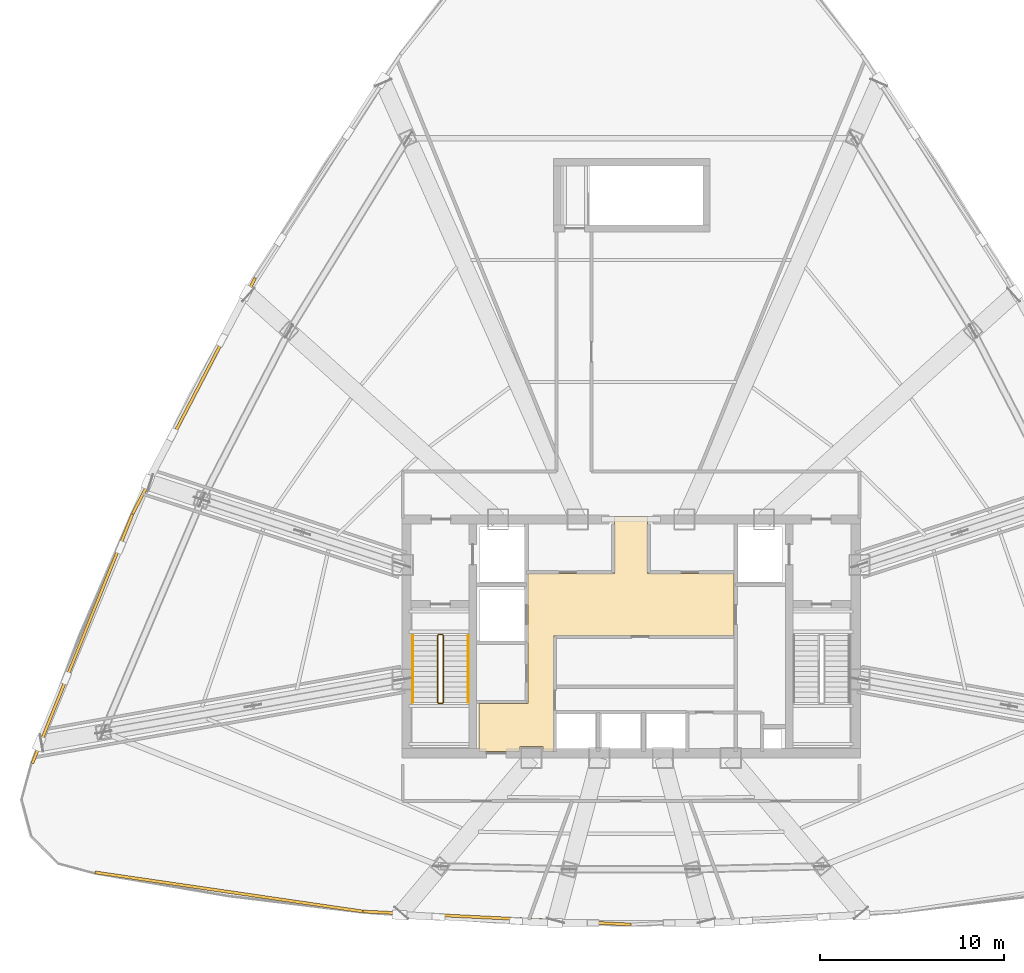
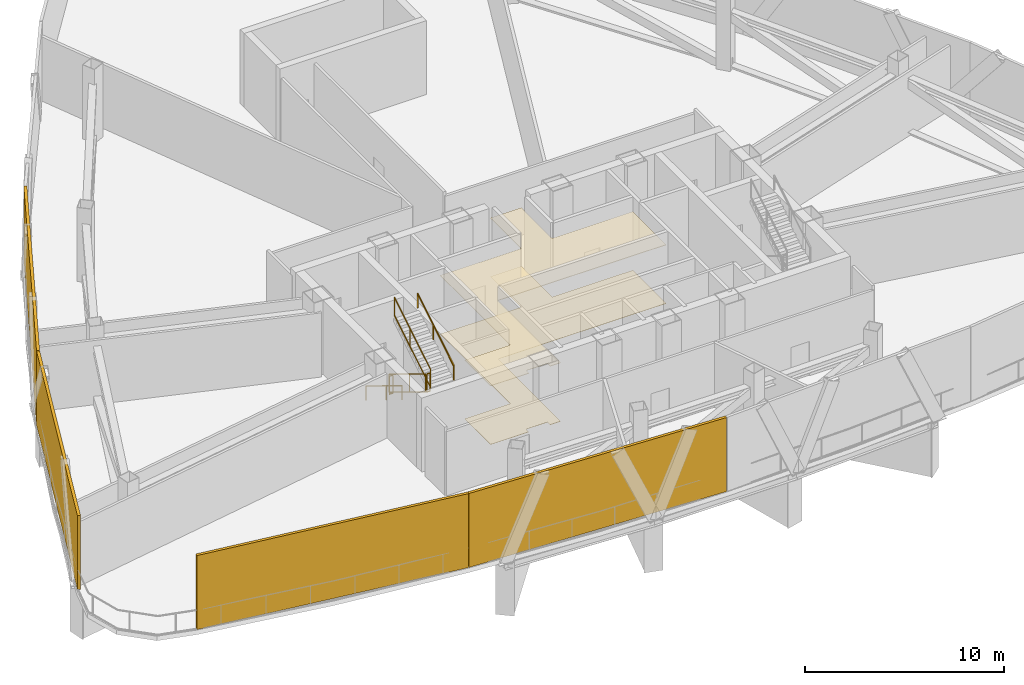
# One storey, part 10 of 13: 6 railings, 4 shading devices, 2 coverings.
"""IFC4 building model written with IfcOpenShell, lengths in metres."""

from ifc_helpers import new_model, si_unit, direction, frame, origin, origin_2d, place, context, subcontext, project, spatial, polyline, rectangle, outline, extrude, source, transform, mapped, material, layer, layer_set, type_object, element, save


model = new_model("IFC4")

# Units and contexts
model_context = context("Model", 3, precision=1e-05, world=origin(), true_north=direction((0.0, 1.0)))
body_context = subcontext(model_context, "Body", "Model", "MODEL_VIEW")
ifc_project = project(units=[si_unit("LENGTHUNIT", "METRE"), si_unit("AREAUNIT", "SQUARE_METRE"), si_unit("VOLUMEUNIT", "CUBIC_METRE"), si_unit("PLANEANGLEUNIT", "RADIAN"), si_unit("MASSUNIT", "GRAM", prefix="KILO"), si_unit("THERMODYNAMICTEMPERATUREUNIT", "KELVIN"), si_unit("POWERUNIT", "WATT")], contexts=[model_context])

# Site, building, storey
site_placement = place(None, origin())
site = spatial("IfcSite", under=ifc_project, at=site_placement, CompositionType="ELEMENT")
building_placement = place(site_placement, origin())
building = spatial("IfcBuilding", under=site, at=building_placement, Name="Yunzhuo Pagoda Commons", CompositionType="ELEMENT")
storey_placement = place(building_placement, frame((0.0, 0.0, 272.760009765625)))
storey = spatial("IfcBuildingStorey", under=building, at=storey_placement, Name="L68", CompositionType="ELEMENT", Elevation=272.760009765625)

# Coverings
ifc_material_1 = material(Name="Perforated gypsum acoustic ceiling tile")
ifc_layer_1 = layer(ifc_material_1, 0.030029296875)
ifc_layer_set_1 = layer_set([ifc_layer_1], Name="Perforated gypsum acoustic ceiling tile")
covering_type_1 = type_object("IfcCoveringType", Name="COV-CL2 Ceiling 30", PredefinedType="CEILING", material=ifc_layer_set_1)
covering_1_placement = place(storey_placement, frame((0.0, 0.0, 3.590087890625)))
element("IfcCovering", 1, at=covering_1_placement, inside=storey, type_object=covering_type_1, Name="L68 lift lobby acoustic ceiling", PredefinedType="CEILING", context=body_context, shape_type="SweptSolid", body=[
    extrude(outline(polyline([(39.75, 30.199951171875), (42.39990234375, 30.199951171875), (42.39990234375, 33.89990234375), (42.39990234375, 37.25), (47.10009765625, 37.25), (47.10009765625, 40.35009765625), (48.89990234375, 40.35009765625), (48.89990234375, 37.25), (53.580078125, 37.25), (53.580078125, 33.89990234375), (43.820068359375, 33.89990234375), (43.820068359375, 30.199951171875), (43.820068359375, 27.60009765625), (43.207763671875, 27.60009765625), (43.207763671875, 27.85009765625), (43.201904296875, 27.864013671875), (43.187744140625, 27.8701171875), (41.98779296875, 27.8701171875), (41.9736328125, 27.864013671875), (41.9677734375, 27.85009765625), (41.9677734375, 27.60009765625), (39.75, 27.60009765625), (39.75, 30.199951171875)])), origin(), (0.0, 0.0, 1.0), 0.02978515625),
])
ifc_material_2 = material(Name="Resilient acoustic studio flooring")
ifc_layer_2 = layer(ifc_material_2, 0.01806640625)
ifc_layer_set_2 = layer_set([ifc_layer_2], Name="Resilient acoustic studio flooring")
covering_type_2 = type_object("IfcCoveringType", Name="COV-FL3 Flooring 18", PredefinedType="FLOORING", material=ifc_layer_set_2)
covering_2_placement = place(storey_placement, origin())
element("IfcCovering", 2, at=covering_2_placement, inside=storey, type_object=covering_type_2, Name="L68 lift lobby flooring", PredefinedType="FLOORING", context=body_context, shape_type="SweptSolid", body=[
    extrude(outline(polyline([(39.75, 30.199951171875), (42.39990234375, 30.199951171875), (42.39990234375, 33.89990234375), (42.39990234375, 37.25), (47.10009765625, 37.25), (47.10009765625, 40.35009765625), (48.89990234375, 40.35009765625), (48.89990234375, 37.25), (53.580078125, 37.25), (53.580078125, 33.89990234375), (43.820068359375, 33.89990234375), (43.820068359375, 30.199951171875), (43.820068359375, 27.60009765625), (43.207763671875, 27.60009765625), (43.207763671875, 27.85009765625), (43.201904296875, 27.864013671875), (43.187744140625, 27.8701171875), (41.98779296875, 27.8701171875), (41.9736328125, 27.864013671875), (41.9677734375, 27.85009765625), (41.9677734375, 27.60009765625), (39.75, 27.60009765625), (39.75, 30.199951171875)])), origin(), (0.0, 0.0, 1.0), 0.01806640625),
])

# Railings
ifc_material_3 = material(Name="Anodized aluminium 6063-T6", Category="aluminium")
railing_type_1 = type_object("IfcRailingType", Name="GR-ST1 Stair Well Guardrail 1150", PredefinedType="GUARDRAIL", material=ifc_material_3)
railing_1_placement = place(storey_placement, frame((37.5, 33.89990234375, 0.17138671875)))
element("IfcRailing", 3, at=railing_1_placement, inside=storey, type_object=railing_type_1, Name="L68 ST1 stair guard 1", PredefinedType="GUARDRAIL", context=body_context, shape_type="SweptSolid", body=[
    extrude(rectangle(XDim=0.048095703125, YDim=0.048095703125, at=origin_2d()), frame((0.0, 0.0, 1.1259765625), z_axis=(0.0, -0.852850264322, 0.5221555579), x_axis=(1.0, 0.0, 0.0)), (0.0, 0.0, 1.0), 4.267822265625),
    extrude(rectangle(XDim=0.048095703125, YDim=0.048095703125, at=origin_2d()), frame((0.0, 0.0, 0.02392578125), z_axis=(0.0, -0.852850264322, 0.5221555579), x_axis=(1.0, 0.0, 0.0)), (0.0, 0.0, 1.0), 4.267822265625),
    extrude(rectangle(XDim=0.0419921875, YDim=0.0419921875, at=origin_2d()), origin(), (0.0, 0.0, 1.0), 1.101806640625),
    extrude(rectangle(XDim=0.0419921875, YDim=0.0419921875, at=origin_2d()), frame((0.0, -2.046875, 1.253173828125)), (0.0, 0.0, 1.0), 1.101806640625),
    extrude(rectangle(XDim=0.0419921875, YDim=0.0419921875, at=origin_2d()), frame((0.0, -3.639892578125, 2.228515625)), (0.0, 0.0, 1.0), 1.101806640625),
])
railing_2_placement = place(storey_placement, frame((37.550048828125, 30.2099609375, 2.39990234375)))
element("IfcRailing", 4, at=railing_2_placement, inside=storey, type_object=railing_type_1, Name="L68 ST1 stair guard 2", PredefinedType="GUARDRAIL", context=body_context, shape_type="SweptSolid", body=[
    extrude(rectangle(XDim=0.048095703125, YDim=0.048095703125, at=origin_2d()), frame((0.0, 0.0, 1.1259765625), z_axis=(1.0, 0.0, 0.0), x_axis=(0.0, 1.0, 0.0)), (0.0, 0.0, 1.0), 0.199951171875),
    extrude(rectangle(XDim=0.048095703125, YDim=0.048095703125, at=origin_2d()), frame((0.0, 0.0, 0.02392578125), z_axis=(1.0, 0.0, 0.0), x_axis=(0.0, 1.0, 0.0)), (0.0, 0.0, 1.0), 0.199951171875),
    extrude(rectangle(XDim=0.0419921875, YDim=0.0419921875, at=origin_2d()), origin(), (0.0, 0.0, 1.0), 1.101806640625),
    extrude(rectangle(XDim=0.0419921875, YDim=0.0419921875, at=origin_2d()), frame((0.199951171875, 0.0, 0.0)), (0.0, 0.0, 1.0), 1.101806640625),
])
railing_3_placement = place(storey_placement, frame((37.800048828125, 30.260009765625, 2.571533203125)))
element("IfcRailing", 5, at=railing_3_placement, inside=storey, type_object=railing_type_1, Name="L68 ST1 stair guard 3", PredefinedType="GUARDRAIL", context=body_context, shape_type="SweptSolid", body=[
    extrude(rectangle(XDim=0.048095703125, YDim=0.048095703125, at=origin_2d()), frame((0.0, 0.0, 1.1259765625), z_axis=(0.0, 0.852850264322, 0.5221555579), x_axis=(-1.0, 0.0, 0.0)), (0.0, 0.0, 1.0), 4.267822265625),
    extrude(rectangle(XDim=0.048095703125, YDim=0.048095703125, at=origin_2d()), frame((0.0, 0.0, 0.02392578125), z_axis=(0.0, 0.852850264322, 0.5221555579), x_axis=(-1.0, 0.0, 0.0)), (0.0, 0.0, 1.0), 4.267822265625),
    extrude(rectangle(XDim=0.0419921875, YDim=0.0419921875, at=origin_2d()), origin(), (0.0, 0.0, 1.0), 1.101806640625),
    extrude(rectangle(XDim=0.0419921875, YDim=0.0419921875, at=origin_2d()), frame((0.0, 2.046875, 1.253173828125)), (0.0, 0.0, 1.0), 1.101806640625),
    extrude(rectangle(XDim=0.0419921875, YDim=0.0419921875, at=origin_2d()), frame((0.0, 3.639892578125, 2.228515625)), (0.0, 0.0, 1.0), 1.101806640625),
])
railing_4_placement = place(storey_placement, frame((37.550048828125, 33.949951171875, 0.0)))
element("IfcRailing", 6, at=railing_4_placement, inside=storey, type_object=railing_type_1, Name="L68 ST1 stair guard 4", PredefinedType="GUARDRAIL", context=body_context, shape_type="SweptSolid", body=[
    extrude(rectangle(XDim=0.048095703125, YDim=0.048095703125, at=origin_2d()), frame((0.0, 0.0, 1.1259765625), z_axis=(1.0, 0.0, 0.0), x_axis=(0.0, 1.0, 0.0)), (0.0, 0.0, 1.0), 0.199951171875),
    extrude(rectangle(XDim=0.048095703125, YDim=0.048095703125, at=origin_2d()), frame((0.0, 0.0, 0.02392578125), z_axis=(1.0, 0.0, 0.0), x_axis=(0.0, 1.0, 0.0)), (0.0, 0.0, 1.0), 0.199951171875),
    extrude(rectangle(XDim=0.0419921875, YDim=0.0419921875, at=origin_2d()), origin(), (0.0, 0.0, 1.0), 1.101806640625),
    extrude(rectangle(XDim=0.0419921875, YDim=0.0419921875, at=origin_2d()), frame((0.199951171875, 0.0, 0.0)), (0.0, 0.0, 1.0), 1.101806640625),
])
railing_type_2 = type_object("IfcRailingType", Name="HR-ST1 Stair Handrail 900", PredefinedType="HANDRAIL", material=ifc_material_3)
railing_5_placement = place(storey_placement, frame((36.14990234375, 33.89990234375, 0.17138671875)))
element("IfcRailing", 7, at=railing_5_placement, inside=storey, type_object=railing_type_2, Name="L68 ST1 stair handrail 1", PredefinedType="HANDRAIL", context=body_context, shape_type="SweptSolid", body=[
    extrude(rectangle(XDim=0.048095703125, YDim=0.048095703125, at=origin_2d()), frame((0.0, 0.0, 0.8759765625), z_axis=(0.0, -0.852850264322, 0.5221555579), x_axis=(1.0, 0.0, 0.0)), (0.0, 0.0, 1.0), 4.267822265625),
    extrude(rectangle(XDim=0.0419921875, YDim=0.0419921875, at=origin_2d()), origin(), (0.0, 0.0, 1.0), 0.851806640625),
    extrude(rectangle(XDim=0.0419921875, YDim=0.0419921875, at=origin_2d()), frame((0.0, -2.046875, 1.253173828125)), (0.0, 0.0, 1.0), 0.851806640625),
    extrude(rectangle(XDim=0.0419921875, YDim=0.0419921875, at=origin_2d()), frame((0.0, -3.639892578125, 2.228515625)), (0.0, 0.0, 1.0), 0.851806640625),
])
railing_6_placement = place(storey_placement, frame((39.14990234375, 30.260009765625, 2.571533203125)))
element("IfcRailing", 8, at=railing_6_placement, inside=storey, type_object=railing_type_2, Name="L68 ST1 stair handrail 2", PredefinedType="HANDRAIL", context=body_context, shape_type="SweptSolid", body=[
    extrude(rectangle(XDim=0.048095703125, YDim=0.048095703125, at=origin_2d()), frame((0.0, 0.0, 0.8759765625), z_axis=(0.0, 0.852850264322, 0.5221555579), x_axis=(-1.0, 0.0, 0.0)), (0.0, 0.0, 1.0), 4.267822265625),
    extrude(rectangle(XDim=0.0419921875, YDim=0.0419921875, at=origin_2d()), origin(), (0.0, 0.0, 1.0), 0.851806640625),
    extrude(rectangle(XDim=0.0419921875, YDim=0.0419921875, at=origin_2d()), frame((0.0, 2.046875, 1.253173828125)), (0.0, 0.0, 1.0), 0.851806640625),
    extrude(rectangle(XDim=0.0419921875, YDim=0.0419921875, at=origin_2d()), frame((0.0, 3.639892578125, 2.228515625)), (0.0, 0.0, 1.0), 0.851806640625),
])

# Shading devices
ifc_layer_3 = layer(ifc_material_3, 0.159912109375)
ifc_layer_set_3 = layer_set([ifc_layer_3], Name="Anodized aluminium 6063-T6")
shading_device_type = type_object("IfcShadingDeviceType", Name="SH-SCR1 Stormproof Refuge Louvre Screen", PredefinedType="JALOUSIE", material=ifc_layer_set_3)
shared_shape_1 = source(origin(), body_context, "Body", "SweptSolid", [
    extrude(rectangle(XDim=14.69140625, YDim=0.159912109375, at=origin_2d()), origin(), (0.0, 0.0, 1.0), 4.5400390625),
])
shading_device_1_placement = place(storey_placement, frame((26.152099609375, 19.96923828125, 0.0), z_axis=(0.0, 0.0, 1.0), x_axis=(0.989510666697, -0.144459823108, 0.0)))
element("IfcShadingDevice", 9, at=shading_device_1_placement, inside=storey, type_object=shading_device_type, Name="L68 stormproof refuge louvre screen F1.1", PredefinedType="JALOUSIE", context=body_context, shape_type="MappedRepresentation", body=[
    mapped(shared_shape_1, transform((0.0, 0.0, 0.0), scale=1.0)),
])
shared_shape_2 = source(origin(), body_context, "Body", "SweptSolid", [
    extrude(rectangle(XDim=14.55419921875, YDim=0.159912109375, at=origin_2d()), origin(), (0.0, 0.0, 1.0), 4.5400390625),
])
shading_device_2_placement = place(storey_placement, frame((40.71728515625, 18.5517578125, 0.0), z_axis=(0.0, 0.0, 1.0), x_axis=(0.998818043775, -0.04860571396, 0.0)))
element("IfcShadingDevice", 10, at=shading_device_2_placement, inside=storey, type_object=shading_device_type, Name="L68 stormproof refuge louvre screen F1.2", PredefinedType="JALOUSIE", context=body_context, shape_type="MappedRepresentation", body=[
    mapped(shared_shape_2, transform((0.0, 0.0, 0.0), scale=1.0)),
])
shared_shape_3 = source(origin(), body_context, "Body", "SweptSolid", [
    extrude(rectangle(XDim=14.5732421875, YDim=0.159912109375, at=origin_2d()), origin(), (0.0, 0.0, 1.0), 4.5400390625),
])
shading_device_3_placement = place(storey_placement, frame((18.20068359375, 33.7138671875, 0.0), z_axis=(0.0, 0.0, 1.0), x_axis=(-0.372987782576, -0.927836253899, 0.0)))
element("IfcShadingDevice", 11, at=shading_device_3_placement, inside=storey, type_object=shading_device_type, Name="L68 stormproof refuge louvre screen F3.4", PredefinedType="JALOUSIE", context=body_context, shape_type="MappedRepresentation", body=[
    mapped(shared_shape_3, transform((0.0, 0.0, 0.0), scale=1.0)),
])
shared_shape_4 = source(origin(), body_context, "Body", "SweptSolid", [
    extrude(rectangle(XDim=14.434814453125, YDim=0.159912109375, at=origin_2d()), origin(), (0.0, 0.0, 1.0), 4.5400390625),
])
shading_device_4_placement = place(storey_placement, frame((24.259033203125, 46.904296875, 0.0), z_axis=(0.0, 0.0, 1.0), x_axis=(-0.461206683033, -0.88729273384, 0.0)))
element("IfcShadingDevice", 12, at=shading_device_4_placement, inside=storey, type_object=shading_device_type, Name="L68 stormproof refuge louvre screen F3.3", PredefinedType="JALOUSIE", context=body_context, shape_type="MappedRepresentation", body=[
    mapped(shared_shape_4, transform((0.0, 0.0, 0.0), scale=1.0)),
])

save(model, "model.ifc")
